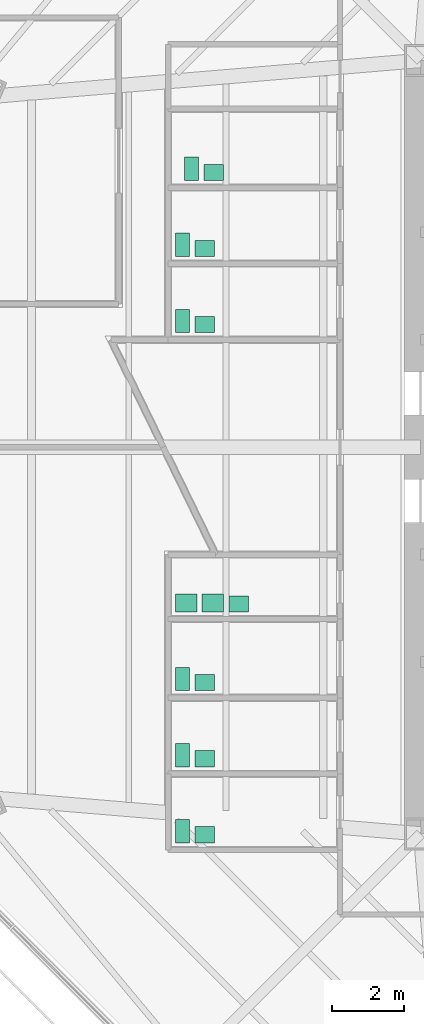
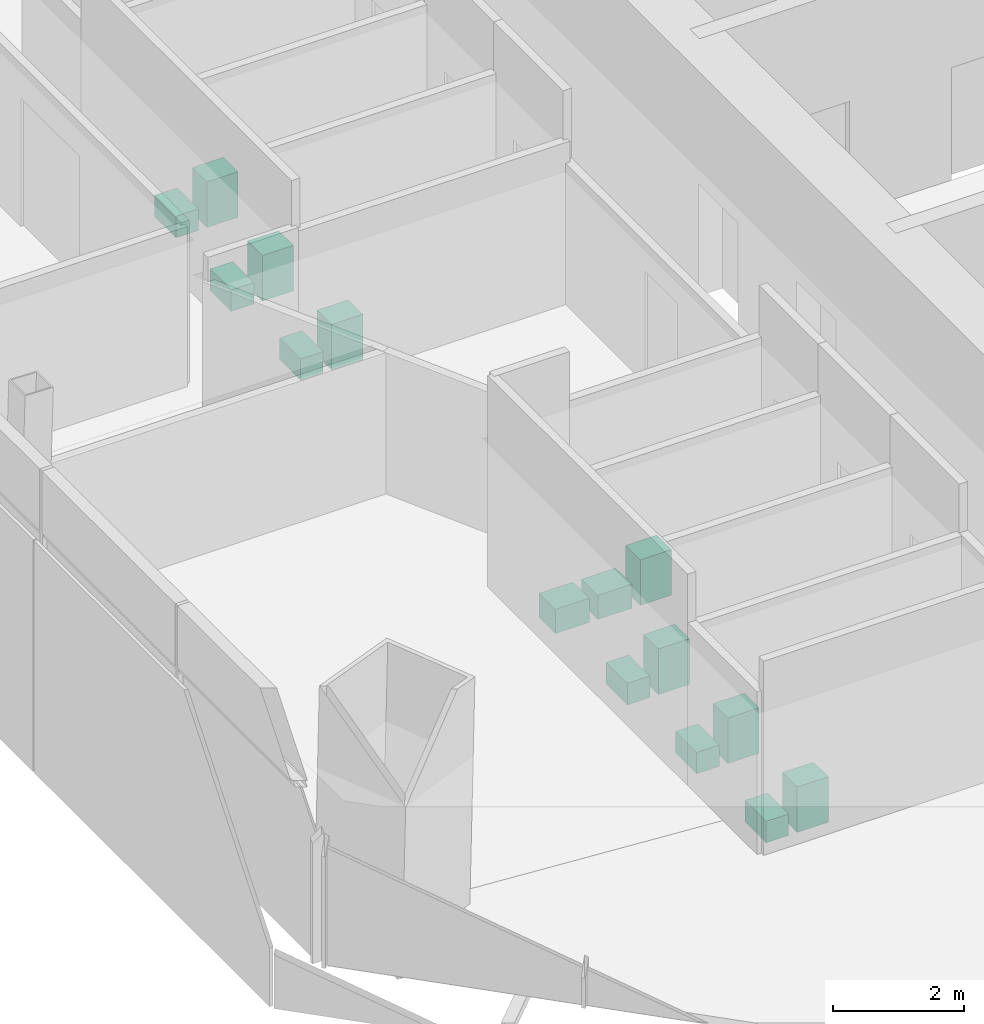
# One storey, part 16 of 16: 15 sanitary terminals.
"""IFC4 building model written with IfcOpenShell, lengths in metres."""

from ifc_helpers import new_model, si_unit, direction, frame, origin, origin_2d, place, context, subcontext, project, spatial, rectangle, extrude, material, type_object, element, save


model = new_model("IFC4")

# Units and contexts
model_context = context("Model", 3, precision=1e-05, world=origin(), true_north=direction((0.0, 1.0)))
body_context = subcontext(model_context, "Body", "Model", "MODEL_VIEW")
ifc_project = project(units=[si_unit("LENGTHUNIT", "METRE"), si_unit("AREAUNIT", "SQUARE_METRE"), si_unit("VOLUMEUNIT", "CUBIC_METRE"), si_unit("PLANEANGLEUNIT", "RADIAN"), si_unit("MASSUNIT", "GRAM", prefix="KILO")], contexts=[model_context])

# Site, building, storey
site_placement = place(None, origin())
site = spatial("IfcSite", under=ifc_project, at=site_placement, CompositionType="ELEMENT")
building_placement = place(site_placement, origin())
building = spatial("IfcBuilding", under=site, at=building_placement, Name="Mashrafa Tower", CompositionType="ELEMENT")
storey_placement = place(building_placement, frame((0.0, 0.0, 100.199951171875)))
storey = spatial("IfcBuildingStorey", under=building, at=storey_placement, Name="L22", CompositionType="ELEMENT", Elevation=100.199951171875)

# Sanitary terminals
ifc_material_1 = material(Name="Stainless steel", Category="steel")
sanitary_terminal_type_1 = type_object("IfcSanitaryTerminalType", Name="Ablution wash station 600 x 500", PredefinedType="WASHHANDBASIN", material=ifc_material_1)
for number, where, z_axis, x_axis, name in (
    (1, (-17.35009765625, -4.35009765625, 0.0), (0.0, 0.0, 1.0), (1.0, 0.0, 0.0), "Ablution wash station Ablution Room L22 S"),
    (2, (-16.60009765625, -4.35009765625, 0.0), (0.0, 0.0, 1.0), (1.0, 0.0, 0.0), "Ablution wash station Ablution Room L22 S"),
):
    element("IfcSanitaryTerminal", number, at=place(storey_placement, frame(where, z_axis=z_axis, x_axis=x_axis)), inside=storey, type_object=sanitary_terminal_type_1, Name=name, PredefinedType="WASHHANDBASIN", context=body_context, shape_type="SweptSolid", body=[
        extrude(rectangle(XDim=0.60009765625, YDim=0.5, at=origin_2d()), origin(), (0.0, 0.0, 1.0), 0.449951171875),
    ])
ifc_material_2 = material(Name="Vitreous china")
sanitary_terminal_type_2 = type_object("IfcSanitaryTerminalType", Name="Toilet pan 400 x 650", PredefinedType="TOILETPAN", material=ifc_material_2)
for number, where, z_axis, x_axis, name in (
    (3, (-17.449951171875, 3.52490234375, 0.0), (0.0, 0.0, 1.0), (1.0, 0.0, 0.0), "Toilet pan WC Female L22 N"),
    (4, (-17.449951171875, 5.64990234375, 0.0), (0.0, 0.0, 1.0), (1.0, 0.0, 0.0), "Toilet pan WC Male L22 N"),
    (5, (-17.199951171875, 7.77490234375, 0.0), (0.0, 0.0, 1.0), (1.0, 0.0, 0.0), "Toilet pan Accessible WC L22 N"),
    (6, (-17.449951171875, -10.72509765625, 0.0), (0.0, 0.0, 1.0), (1.0, 0.0, 0.0), "Toilet pan WC Female L22 S"),
    (7, (-17.449951171875, -8.60009765625, 0.0), (0.0, 0.0, 1.0), (1.0, 0.0, 0.0), "Toilet pan WC Male L22 S"),
    (8, (-17.449951171875, -6.47509765625, 0.0), (0.0, 0.0, 1.0), (1.0, 0.0, 0.0), "Toilet pan Accessible WC L22 S"),
):
    element("IfcSanitaryTerminal", number, at=place(storey_placement, frame(where, z_axis=z_axis, x_axis=x_axis)), inside=storey, type_object=sanitary_terminal_type_2, Name=name, PredefinedType="TOILETPAN", context=body_context, shape_type="SweptSolid", body=[
        extrude(rectangle(XDim=0.39990234375, YDim=0.64990234375, at=origin_2d()), origin(), (0.0, 0.0, 1.0), 0.39990234375),
    ])
ifc_material_3 = material(Name="Vitreous china")
sanitary_terminal_type_3 = type_object("IfcSanitaryTerminalType", Name="Wash basin 550 x 450", PredefinedType="WASHHANDBASIN", material=ifc_material_3)
for number, where, z_axis, x_axis, name in (
    (9, (-16.824951171875, 3.425048828125, 0.0), (0.0, 0.0, 1.0), (1.0, 0.0, 0.0), "Wash basin WC Female L22 N"),
    (10, (-16.824951171875, 5.550048828125, 0.0), (0.0, 0.0, 1.0), (1.0, 0.0, 0.0), "Wash basin WC Male L22 N"),
    (11, (-16.574951171875, 7.675048828125, 0.0), (0.0, 0.0, 1.0), (1.0, 0.0, 0.0), "Wash basin Accessible WC L22 N"),
    (12, (-16.824951171875, -10.824951171875, 0.0), (0.0, 0.0, 1.0), (1.0, 0.0, 0.0), "Wash basin WC Female L22 S"),
    (13, (-16.824951171875, -8.699951171875, 0.0), (0.0, 0.0, 1.0), (1.0, 0.0, 0.0), "Wash basin WC Male L22 S"),
    (14, (-16.824951171875, -6.574951171875, 0.0), (0.0, 0.0, 1.0), (1.0, 0.0, 0.0), "Wash basin Accessible WC L22 S"),
    (15, (-15.875, -4.375, 0.0), (0.0, 0.0, 1.0), (1.0, 0.0, 0.0), "Wash basin Ablution Room L22 S"),
):
    element("IfcSanitaryTerminal", number, at=place(storey_placement, frame(where, z_axis=z_axis, x_axis=x_axis)), inside=storey, type_object=sanitary_terminal_type_3, Name=name, PredefinedType="WASHHANDBASIN", context=body_context, shape_type="SweptSolid", body=[
        extrude(rectangle(XDim=0.550048828125, YDim=0.449951171875, at=origin_2d()), origin(), (0.0, 0.0, 1.0), 0.85009765625),
    ])

save(model, "model.ifc")
